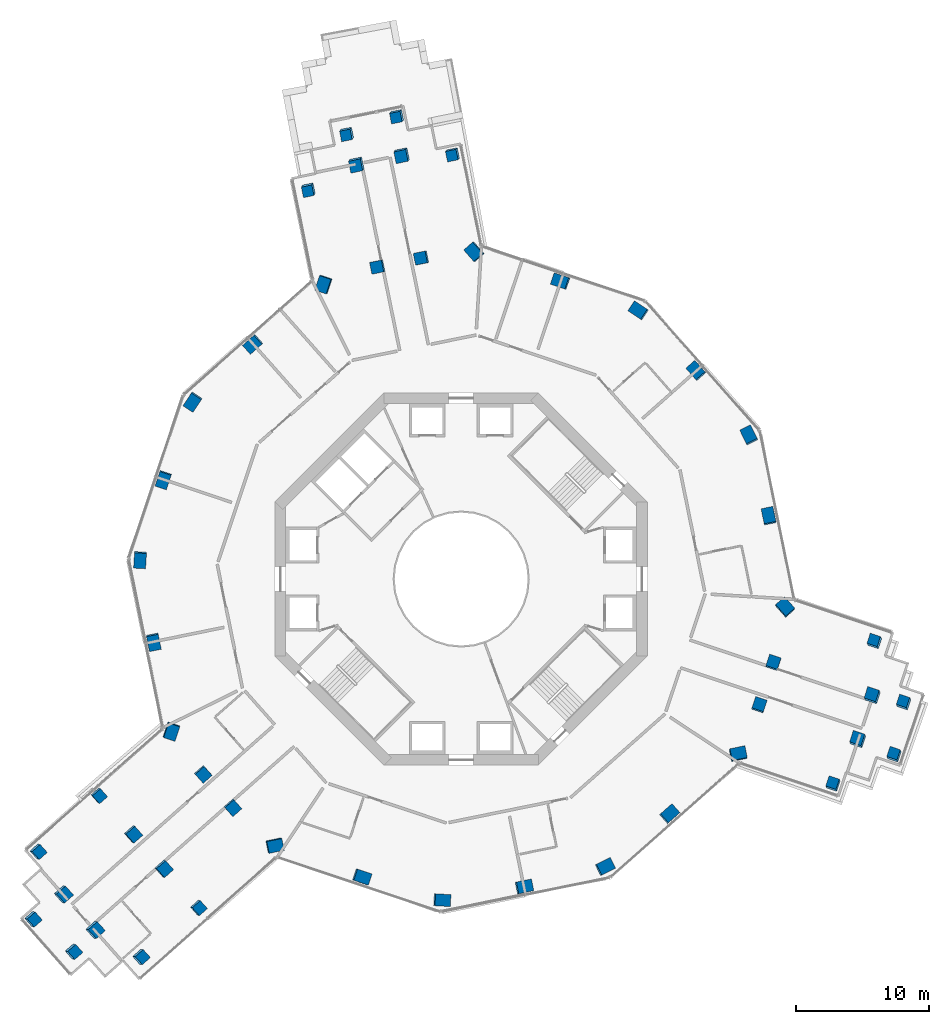
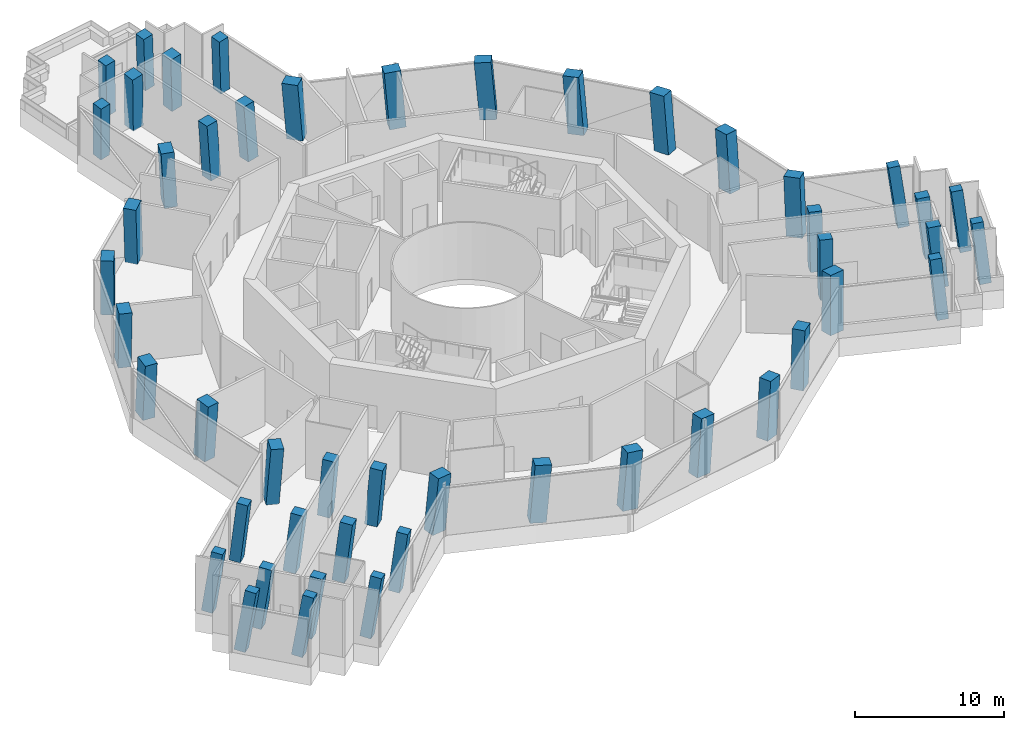
# One storey, part 1 of 20: 49 columns.
"""IFC4 building model written with IfcOpenShell, lengths in metres."""

from ifc_helpers import new_model, si_unit, direction, frame, origin, origin_2d, place, context, subcontext, project, spatial, rectangle, extrude, material, material_profile, profile_set, type_object, element, save


model = new_model("IFC4")

# Units and contexts
model_context = context("Model", 3, precision=1e-05, world=origin(), true_north=direction((0.0, 1.0)))
body_context = subcontext(model_context, "Body", "Model", "MODEL_VIEW")
ifc_project = project(units=[si_unit("LENGTHUNIT", "METRE"), si_unit("AREAUNIT", "SQUARE_METRE"), si_unit("VOLUMEUNIT", "CUBIC_METRE"), si_unit("PLANEANGLEUNIT", "RADIAN"), si_unit("MASSUNIT", "GRAM", prefix="KILO")], contexts=[model_context])

# Site, building, storey
site_placement = place(None, origin())
site = spatial("IfcSite", under=ifc_project, at=site_placement, CompositionType="ELEMENT")
building_placement = place(site_placement, origin())
building = spatial("IfcBuilding", under=site, at=building_placement, Name="Verdalira Terraces Hotel", CompositionType="ELEMENT")
storey_placement = place(building_placement, frame((0.0, 0.0, 81.0)))
storey = spatial("IfcBuildingStorey", under=building, at=storey_placement, Name="L18", CompositionType="ELEMENT", Elevation=81.0)

# Columns
ifc_material_1 = material(Name="Concrete C80", Category="concrete")
ifc_material_profile_1 = material_profile(ifc_material_1, rectangle(XDim=1.149902, YDim=0.899902, at=origin_2d()), Name="RC 1150X900")
ifc_profile_set_1 = profile_set([ifc_material_profile_1], Name="Concrete C80")
column_type_1 = type_object("IfcColumnType", Name="Column RC 1150X900 C80", PredefinedType="COLUMN", material=ifc_profile_set_1)
column_1_placement = place(storey_placement, frame((-10.315674, 22.171387, 0.0), z_axis=(-0.073724949, -0.035072531, 0.996661703), x_axis=(0.313129185, 0.948026988, 0.056523832)))
element("IfcColumn", 1, at=column_1_placement, inside=storey, type_object=column_type_1, Name="Column C03", PredefinedType="COLUMN", context=body_context, shape_type="SweptSolid", body=[
    extrude(rectangle(XDim=1.149902, YDim=0.899902, at=origin_2d()), origin(), (0.0, 0.0, 1.0), 4.705566),
])
column_2_placement = place(storey_placement, frame((-15.649414, 17.676025, 0.0), z_axis=(-0.058640346, -0.052724417, 0.996885874), x_axis=(-0.746898066, -0.660246291, -0.078855026)))
element("IfcColumn", 2, at=column_2_placement, inside=storey, type_object=column_type_1, Name="Column C04", PredefinedType="COLUMN", context=body_context, shape_type="SweptSolid", body=[
    extrude(rectangle(XDim=1.149902, YDim=0.899902, at=origin_2d()), origin(), (0.0, 0.0, 1.0), 4.70459),
])
column_3_placement = place(storey_placement, frame((-20.178711, 13.345703, 0.0), z_axis=(-0.043999359, -0.067763164, 0.996730761), x_axis=(0.549832111, 0.831358719, 0.080791885)))
element("IfcColumn", 3, at=column_3_placement, inside=storey, type_object=column_type_1, Name="Column C05", PredefinedType="COLUMN", context=body_context, shape_type="SweptSolid", body=[
    extrude(rectangle(XDim=1.149902, YDim=0.899902, at=origin_2d()), origin(), (0.0, 0.0, 1.0), 4.705322),
])
column_4_placement = place(storey_placement, frame((-22.391113, 7.483154, 0.0), z_axis=(-0.024338376, -0.074987109, 0.996887444), x_axis=(-0.31573538, -0.945566595, -0.07883517)))
element("IfcColumn", 4, at=column_4_placement, inside=storey, type_object=column_type_1, Name="Column C06", PredefinedType="COLUMN", context=body_context, shape_type="SweptSolid", body=[
    extrude(rectangle(XDim=1.149902, YDim=0.899902, at=origin_2d()), origin(), (0.0, 0.0, 1.0), 4.70459),
])
column_5_placement = place(storey_placement, frame((-24.148193, 1.468506, 0.0), z_axis=(-0.00420277, -0.080682803, 0.996730968), x_axis=(0.060241647, 0.994909055, 0.080789336)))
element("IfcColumn", 5, at=column_5_placement, inside=storey, type_object=column_type_1, Name="Column C07", PredefinedType="COLUMN", context=body_context, shape_type="SweptSolid", body=[
    extrude(rectangle(XDim=1.149902, YDim=0.899902, at=origin_2d()), origin(), (0.0, 0.0, 1.0), 4.705322),
])
column_6_placement = place(storey_placement, frame((-23.132812, -4.714844, 0.0), z_axis=(0.016398563, -0.077114764, 0.996887356), x_axis=(0.19912584, -0.976797696, -0.078836291)))
element("IfcColumn", 6, at=column_6_placement, inside=storey, type_object=column_type_1, Name="Column C08", PredefinedType="COLUMN", context=body_context, shape_type="SweptSolid", body=[
    extrude(rectangle(XDim=1.149902, YDim=0.899902, at=origin_2d()), origin(), (0.0, 0.0, 1.0), 4.70459),
])
column_7_placement = place(storey_placement, frame((-21.814453, -11.43335, 0.0), z_axis=(0.038806098, -0.072527974, 0.996611148), x_axis=(0.319522533, 0.94589897, 0.056395831)))
element("IfcColumn", 7, at=column_7_placement, inside=storey, type_object=column_type_1, Name="Column C09", PredefinedType="COLUMN", context=body_context, shape_type="SweptSolid", body=[
    extrude(rectangle(XDim=1.149902, YDim=0.899902, at=origin_2d()), origin(), (0.0, 0.0, 1.0), 4.705811),
])
column_8_placement = place(storey_placement, frame((-14.043213, -20.019287, 0.0), z_axis=(0.067239568, -0.046330967, 0.996660565), x_axis=(-0.977614608, -0.202666346, 0.056533445)))
element("IfcColumn", 8, at=column_8_placement, inside=storey, type_object=column_type_1, Name="Column C16", PredefinedType="COLUMN", context=body_context, shape_type="SweptSolid", body=[
    extrude(rectangle(XDim=1.149902, YDim=0.899902, at=origin_2d()), origin(), (0.0, 0.0, 1.0), 4.705566),
])
column_9_placement = place(storey_placement, frame((-7.483154, -22.391113, 0.0), z_axis=(0.074987109, -0.024338376, 0.996887444), x_axis=(0.945566595, -0.31573538, -0.07883517)))
element("IfcColumn", 9, at=column_9_placement, inside=storey, type_object=column_type_1, Name="Column C17", PredefinedType="COLUMN", context=body_context, shape_type="SweptSolid", body=[
    extrude(rectangle(XDim=1.149902, YDim=0.899902, at=origin_2d()), origin(), (0.0, 0.0, 1.0), 4.70459),
])
column_10_placement = place(storey_placement, frame((-1.468506, -24.148193, 0.0), z_axis=(0.080682803, -0.00420277, 0.996730968), x_axis=(-0.994909055, 0.060241647, 0.080789336)))
element("IfcColumn", 10, at=column_10_placement, inside=storey, type_object=column_type_1, Name="Column C18", PredefinedType="COLUMN", context=body_context, shape_type="SweptSolid", body=[
    extrude(rectangle(XDim=1.149902, YDim=0.899902, at=origin_2d()), origin(), (0.0, 0.0, 1.0), 4.705322),
])
column_11_placement = place(storey_placement, frame((4.714844, -23.132812, 0.0), z_axis=(0.077114764, 0.016398563, 0.996887356), x_axis=(0.976797696, 0.19912584, -0.078836291)))
element("IfcColumn", 11, at=column_11_placement, inside=storey, type_object=column_type_1, Name="Column C19", PredefinedType="COLUMN", context=body_context, shape_type="SweptSolid", body=[
    extrude(rectangle(XDim=1.149902, YDim=0.899902, at=origin_2d()), origin(), (0.0, 0.0, 1.0), 4.70459),
])
column_12_placement = place(storey_placement, frame((10.802246, -21.647217, 0.0), z_axis=(0.072017658, 0.036683346, 0.996728543), x_axis=(-0.891932566, -0.444887118, 0.08081924)))
element("IfcColumn", 12, at=column_12_placement, inside=storey, type_object=column_type_1, Name="Column C20", PredefinedType="COLUMN", context=body_context, shape_type="SweptSolid", body=[
    extrude(rectangle(XDim=1.149902, YDim=0.899902, at=origin_2d()), origin(), (0.0, 0.0, 1.0), 4.705322),
])
column_13_placement = place(storey_placement, frame((15.649414, -17.676025, 0.0), z_axis=(0.058640346, 0.052724417, 0.996885874), x_axis=(0.746898066, 0.660246291, -0.078855026)))
element("IfcColumn", 13, at=column_13_placement, inside=storey, type_object=column_type_1, Name="Column C21", PredefinedType="COLUMN", context=body_context, shape_type="SweptSolid", body=[
    extrude(rectangle(XDim=1.149902, YDim=0.899902, at=origin_2d()), origin(), (0.0, 0.0, 1.0), 4.70459),
])
column_14_placement = place(storey_placement, frame((20.808594, -13.175293, 0.0), z_axis=(0.04347512, 0.069881846, 0.996607466), x_axis=(-0.979054601, -0.195622465, 0.056426404)))
element("IfcColumn", 14, at=column_14_placement, inside=storey, type_object=column_type_1, Name="Column C22", PredefinedType="COLUMN", context=body_context, shape_type="SweptSolid", body=[
    extrude(rectangle(XDim=1.149902, YDim=0.899902, at=origin_2d()), origin(), (0.0, 0.0, 1.0), 4.705811),
])
column_15_placement = place(storey_placement, frame((24.358887, -2.1521, 0.0), z_axis=(0.006485295, 0.081403423, 0.996660135), x_axis=(0.664496706, -0.745149439, 0.056537084)))
element("IfcColumn", 15, at=column_15_placement, inside=storey, type_object=column_type_1, Name="Column C27", PredefinedType="COLUMN", context=body_context, shape_type="SweptSolid", body=[
    extrude(rectangle(XDim=1.149902, YDim=0.899902, at=origin_2d()), origin(), (0.0, 0.0, 1.0), 4.705566),
])
column_16_placement = place(storey_placement, frame((23.132812, 4.714844, 0.0), z_axis=(-0.016398563, 0.077114764, 0.996887356), x_axis=(-0.19912584, 0.976797696, -0.078836291)))
element("IfcColumn", 16, at=column_16_placement, inside=storey, type_object=column_type_1, Name="Column C28", PredefinedType="COLUMN", context=body_context, shape_type="SweptSolid", body=[
    extrude(rectangle(XDim=1.149902, YDim=0.899902, at=origin_2d()), origin(), (0.0, 0.0, 1.0), 4.70459),
])
column_17_placement = place(storey_placement, frame((21.647217, 10.802246, 0.0), z_axis=(-0.036683346, 0.072017658, 0.996728543), x_axis=(0.444887118, -0.891932566, 0.08081924)))
element("IfcColumn", 17, at=column_17_placement, inside=storey, type_object=column_type_1, Name="Column C29", PredefinedType="COLUMN", context=body_context, shape_type="SweptSolid", body=[
    extrude(rectangle(XDim=1.149902, YDim=0.899902, at=origin_2d()), origin(), (0.0, 0.0, 1.0), 4.705322),
])
column_18_placement = place(storey_placement, frame((17.676025, 15.649414, 0.0), z_axis=(-0.052724417, 0.058640346, 0.996885874), x_axis=(-0.660246291, 0.746898066, -0.078855026)))
element("IfcColumn", 18, at=column_18_placement, inside=storey, type_object=column_type_1, Name="Column C30", PredefinedType="COLUMN", context=body_context, shape_type="SweptSolid", body=[
    extrude(rectangle(XDim=1.149902, YDim=0.899902, at=origin_2d()), origin(), (0.0, 0.0, 1.0), 4.70459),
])
column_19_placement = place(storey_placement, frame((13.345703, 20.178711, 0.0), z_axis=(-0.067763164, 0.043999359, 0.996730761), x_axis=(0.831358719, -0.549832111, 0.080791885)))
element("IfcColumn", 19, at=column_19_placement, inside=storey, type_object=column_type_1, Name="Column C31", PredefinedType="COLUMN", context=body_context, shape_type="SweptSolid", body=[
    extrude(rectangle(XDim=1.149902, YDim=0.899902, at=origin_2d()), origin(), (0.0, 0.0, 1.0), 4.705322),
])
column_20_placement = place(storey_placement, frame((7.483154, 22.391113, 0.0), z_axis=(-0.074987109, 0.024338376, 0.996887444), x_axis=(-0.945566595, 0.31573538, -0.07883517)))
element("IfcColumn", 20, at=column_20_placement, inside=storey, type_object=column_type_1, Name="Column C32", PredefinedType="COLUMN", context=body_context, shape_type="SweptSolid", body=[
    extrude(rectangle(XDim=1.149902, YDim=0.899902, at=origin_2d()), origin(), (0.0, 0.0, 1.0), 4.70459),
])
column_21_placement = place(storey_placement, frame((1.005615, 24.608398, 0.0), z_axis=(-0.082177856, 0.002697758, 0.996614029), x_axis=(0.659030339, -0.750000815, 0.056371895)))
element("IfcColumn", 21, at=column_21_placement, inside=storey, type_object=column_type_1, Name="Column C33", PredefinedType="COLUMN", context=body_context, shape_type="SweptSolid", body=[
    extrude(rectangle(XDim=1.149902, YDim=0.899902, at=origin_2d()), origin(), (0.0, 0.0, 1.0), 4.705811),
])
ifc_material_2 = material(Name="Concrete C80", Category="concrete")
ifc_material_profile_2 = material_profile(ifc_material_2, rectangle(XDim=0.800049, YDim=0.800049, at=origin_2d()), Name="RC 800X800")
ifc_profile_set_2 = profile_set([ifc_material_profile_2], Name="Concrete C80")
column_type_2 = type_object("IfcColumnType", Name="Column RC 800X800 C80", PredefinedType="COLUMN", material=ifc_profile_set_2)
column_22_placement = place(storey_placement, frame((-0.605469, 31.962891, 0.0), z_axis=(-0.084634078, -0.10027074, 0.99135405), x_axis=(-0.207144037, 0.974957442, 0.080927959)))
element("IfcColumn", 22, at=column_22_placement, inside=storey, type_object=column_type_2, Name="Column C01", PredefinedType="COLUMN", context=body_context, shape_type="SweptSolid", body=[
    extrude(rectangle(XDim=0.800049, YDim=0.800049, at=origin_2d()), origin(), (0.0, 0.0, 1.0), 4.730957),
])
column_23_placement = place(storey_placement, frame((-11.456787, 29.322754, 0.0), z_axis=(-0.075285868, -0.135812825, 0.987869888), x_axis=(0.210129432, -0.970596323, -0.117424019)))
element("IfcColumn", 23, at=column_23_placement, inside=storey, type_object=column_type_2, Name="Column C02", PredefinedType="COLUMN", context=body_context, shape_type="SweptSolid", body=[
    extrude(rectangle(XDim=0.800049, YDim=0.800049, at=origin_2d()), origin(), (0.0, 0.0, 1.0), 4.747559),
])
column_24_placement = place(storey_placement, frame((-27.274414, -16.26709, 0.0), z_axis=(0.091860005, -0.056668567, 0.994158143), x_axis=(-0.746300115, -0.664884582, 0.031058516)))
element("IfcColumn", 24, at=column_24_placement, inside=storey, type_object=column_type_2, Name="Column C10", PredefinedType="COLUMN", context=body_context, shape_type="SweptSolid", body=[
    extrude(rectangle(XDim=0.800049, YDim=0.800049, at=origin_2d()), origin(), (0.0, 0.0, 1.0), 4.717529),
])
column_25_placement = place(storey_placement, frame((-31.870361, -20.483154, 0.0), z_axis=(0.142163397, -0.037845019, 0.989119469), x_axis=(-0.739514689, -0.668283225, 0.080718994)))
element("IfcColumn", 25, at=column_25_placement, inside=storey, type_object=column_type_2, Name="Column C11", PredefinedType="COLUMN", context=body_context, shape_type="SweptSolid", body=[
    extrude(rectangle(XDim=0.800049, YDim=0.800049, at=origin_2d()), origin(), (0.0, 0.0, 1.0), 4.741455),
])
column_26_placement = place(storey_placement, frame((-32.26416, -25.559814, 0.0), z_axis=(0.158591787, -0.038928942, 0.986576496), x_axis=(0.647458906, -0.750283663, -0.133683921)))
element("IfcColumn", 26, at=column_26_placement, inside=storey, type_object=column_type_2, Name="Column C12", PredefinedType="COLUMN", context=body_context, shape_type="SweptSolid", body=[
    extrude(rectangle(XDim=0.800049, YDim=0.800049, at=origin_2d()), origin(), (0.0, 0.0, 1.0), 4.753662),
])
column_27_placement = place(storey_placement, frame((-29.225342, -28.011475, 0.0), z_axis=(0.166443836, -0.028783906, 0.98563073), x_axis=(0.646593449, -0.751478661, -0.131136318)))
element("IfcColumn", 27, at=column_27_placement, inside=storey, type_object=column_type_2, Name="Column C13", PredefinedType="COLUMN", context=body_context, shape_type="SweptSolid", body=[
    extrude(rectangle(XDim=0.800049, YDim=0.800049, at=origin_2d()), origin(), (0.0, 0.0, 1.0), 4.758301),
])
column_28_placement = place(storey_placement, frame((-24.149414, -28.419434, 0.0), z_axis=(0.167648247, -0.012007863, 0.985773745), x_axis=(0.734085683, 0.668954667, -0.116695603)))
element("IfcColumn", 28, at=column_28_placement, inside=storey, type_object=column_type_2, Name="Column C14", PredefinedType="COLUMN", context=body_context, shape_type="SweptSolid", body=[
    extrude(rectangle(XDim=0.800049, YDim=0.800049, at=origin_2d()), origin(), (0.0, 0.0, 1.0), 4.757568),
])
column_29_placement = place(storey_placement, frame((-19.797119, -24.712891, 0.0), z_axis=(0.119534559, -0.031407525, 0.992333138), x_axis=(0.742141454, 0.666754818, -0.068294034)))
element("IfcColumn", 29, at=column_29_placement, inside=storey, type_object=column_type_2, Name="Column C15", PredefinedType="COLUMN", context=body_context, shape_type="SweptSolid", body=[
    extrude(rectangle(XDim=0.800049, YDim=0.800049, at=origin_2d()), origin(), (0.0, 0.0, 1.0), 4.726074),
])
column_30_placement = place(storey_placement, frame((27.983398, -15.457031, 0.0), z_axis=(-0.044536293, 0.123390819, 0.991358272), x_axis=(0.94797858, -0.307880598, 0.080908278)))
element("IfcColumn", 30, at=column_30_placement, inside=storey, type_object=column_type_2, Name="Column C23", PredefinedType="COLUMN", context=body_context, shape_type="SweptSolid", body=[
    extrude(rectangle(XDim=0.800049, YDim=0.800049, at=origin_2d()), origin(), (0.0, 0.0, 1.0), 4.730713),
])
column_31_placement = place(storey_placement, frame((32.576904, -13.259766, 0.0), z_axis=(-0.051845763, 0.13828969, 0.989033861), x_axis=(0.325033707, 0.938778925, -0.114224427)))
element("IfcColumn", 31, at=column_31_placement, inside=storey, type_object=column_type_2, Name="Column C24", PredefinedType="COLUMN", context=body_context, shape_type="SweptSolid", body=[
    extrude(rectangle(XDim=0.800049, YDim=0.800049, at=origin_2d()), origin(), (0.0, 0.0, 1.0), 4.741943),
])
column_32_placement = place(storey_placement, frame((33.307373, -9.339111, 0.0), z_axis=(-0.064801402, 0.140454467, 0.987964231), x_axis=(0.326270388, 0.938613387, -0.11203813)))
element("IfcColumn", 32, at=column_32_placement, inside=storey, type_object=column_type_2, Name="Column C25", PredefinedType="COLUMN", context=body_context, shape_type="SweptSolid", body=[
    extrude(rectangle(XDim=0.800049, YDim=0.800049, at=origin_2d()), origin(), (0.0, 0.0, 1.0), 4.74707),
])
column_33_placement = place(storey_placement, frame((31.122559, -4.739502, 0.0), z_axis=(-0.07991468, 0.133088283, 0.987877094), x_axis=(-0.945546213, 0.303582116, -0.117389346)))
element("IfcColumn", 33, at=column_33_placement, inside=storey, type_object=column_type_2, Name="Column C26", PredefinedType="COLUMN", context=body_context, shape_type="SweptSolid", body=[
    extrude(rectangle(XDim=0.800049, YDim=0.800049, at=origin_2d()), origin(), (0.0, 0.0, 1.0), 4.747559),
])
column_34_placement = place(storey_placement, frame((-4.805176, 34.842285, 0.0), z_axis=(-0.093806675, -0.114040497, 0.989037448), x_axis=(-0.975496055, -0.188054433, -0.11420585)))
element("IfcColumn", 34, at=column_34_placement, inside=storey, type_object=column_type_2, Name="Column C34", PredefinedType="COLUMN", context=body_context, shape_type="SweptSolid", body=[
    extrude(rectangle(XDim=0.800049, YDim=0.800049, at=origin_2d()), origin(), (0.0, 0.0, 1.0), 4.741943),
])
column_35_placement = place(storey_placement, frame((-8.565674, 33.514404, 0.0), z_axis=(-0.08928197, -0.126311359, 0.98796466), x_axis=(-0.976067998, -0.186384456, -0.112036141)))
element("IfcColumn", 35, at=column_35_placement, inside=storey, type_object=column_type_2, Name="Column C35", PredefinedType="COLUMN", context=body_context, shape_type="SweptSolid", body=[
    extrude(rectangle(XDim=0.800049, YDim=0.800049, at=origin_2d()), origin(), (0.0, 0.0, 1.0), 4.74707),
])
ifc_material_3 = material(Name="Concrete C80", Category="concrete")
ifc_material_profile_3 = material_profile(ifc_material_3, rectangle(XDim=0.899902, YDim=0.899902, at=origin_2d()), Name="RC 900X900")
ifc_profile_set_3 = profile_set([ifc_material_profile_3], Name="Concrete C80")
column_type_3 = type_object("IfcColumnType", Name="Column RC 900X900 C80", PredefinedType="COLUMN", material=ifc_profile_set_3)
for number, where, z_axis, x_axis, name in (
    (36, (-2.976562, 24.150391, 0.0), (-0.080575859, -0.010636221, 0.996691729), (-0.199481438, 0.979885202, -0.00566987), "Column C36"),
    (37, (-6.265381, 23.47998, 0.0), (-0.078241786, -0.021583941, 0.996700736), (-0.200169517, 0.979745823, 0.005503312), "Column C37"),
):
    element("IfcColumn", number, at=place(storey_placement, frame(where, z_axis=z_axis, x_axis=x_axis)), inside=storey, type_object=column_type_3, Name=name, PredefinedType="COLUMN", context=body_context, shape_type="SweptSolid", body=[
        extrude(rectangle(XDim=0.899902, YDim=0.899902, at=origin_2d()), origin(), (0.0, 0.0, 1.0), 4.705566),
    ])
column_36_placement = place(storey_placement, frame((-4.431396, 31.907715, 0.0), z_axis=(-0.084212734, -0.112816202, 0.990040767), x_axis=(-0.208446389, 0.973582018, 0.093210288)))
element("IfcColumn", 38, at=column_36_placement, inside=storey, type_object=column_type_3, Name="Column C38", PredefinedType="COLUMN", context=body_context, shape_type="SweptSolid", body=[
    extrude(rectangle(XDim=0.899902, YDim=0.899902, at=origin_2d()), origin(), (0.0, 0.0, 1.0), 4.737061),
])
column_37_placement = place(storey_placement, frame((-7.841553, 31.212891, 0.0), z_axis=(-0.081697183, -0.124012926, 0.988911707), x_axis=(-0.209677533, 0.972160601, 0.104590143)))
element("IfcColumn", 39, at=column_37_placement, inside=storey, type_object=column_type_3, Name="Column C39", PredefinedType="COLUMN", context=body_context, shape_type="SweptSolid", body=[
    extrude(rectangle(XDim=0.899902, YDim=0.899902, at=origin_2d()), origin(), (0.0, 0.0, 1.0), 4.742432),
])
for number, where, z_axis, x_axis, name in (
    (40, (-19.426514, -14.653076, 0.0), (0.049497417, -0.064440034, 0.996693277), (-0.748763763, -0.662812714, -0.005668546), "Column C40"),
    (41, (-17.20166, -17.166016, 0.0), (0.057799344, -0.056969192, 0.996701433), (-0.748489548, -0.663123757, 0.005502731), "Column C41"),
):
    element("IfcColumn", number, at=place(storey_placement, frame(where, z_axis=z_axis, x_axis=x_axis)), inside=storey, type_object=column_type_3, Name=name, PredefinedType="COLUMN", context=body_context, shape_type="SweptSolid", body=[
        extrude(rectangle(XDim=0.899902, YDim=0.899902, at=origin_2d()), origin(), (0.0, 0.0, 1.0), 4.705566),
    ])
column_38_placement = place(storey_placement, frame((-24.701416, -19.17334, 0.0), z_axis=(0.101386465, -0.04795166, 0.993690809), x_axis=(-0.744944304, -0.665681766, 0.043883594)))
element("IfcColumn", 42, at=column_38_placement, inside=storey, type_object=column_type_3, Name="Column C42", PredefinedType="COLUMN", context=body_context, shape_type="SweptSolid", body=[
    extrude(rectangle(XDim=0.899902, YDim=0.899902, at=origin_2d()), origin(), (0.0, 0.0, 1.0), 4.719727),
])
column_39_placement = place(storey_placement, frame((-22.4021, -21.770264, 0.0), z_axis=(0.109910913, -0.040221397, 0.993127298), x_axis=(-0.743829596, -0.666073922, 0.055344935)))
element("IfcColumn", 43, at=column_39_placement, inside=storey, type_object=column_type_3, Name="Column C43", PredefinedType="COLUMN", context=body_context, shape_type="SweptSolid", body=[
    extrude(rectangle(XDim=0.899902, YDim=0.899902, at=origin_2d()), origin(), (0.0, 0.0, 1.0), 4.722412),
])
column_40_placement = place(storey_placement, frame((-29.976318, -23.693604, 0.0), z_axis=(0.152565308, -0.031469487, 0.987792234), x_axis=(-0.737734729, -0.668704213, 0.092639873)))
element("IfcColumn", 44, at=column_40_placement, inside=storey, type_object=column_type_3, Name="Column C44", PredefinedType="COLUMN", context=body_context, shape_type="SweptSolid", body=[
    extrude(rectangle(XDim=0.899902, YDim=0.899902, at=origin_2d()), origin(), (0.0, 0.0, 1.0), 4.747803),
])
column_41_placement = place(storey_placement, frame((-27.602783, -26.374512, 0.0), z_axis=(0.161171031, -0.023523369, 0.986646112), x_axis=(-0.735956608, -0.66895094, 0.104271333)))
element("IfcColumn", 45, at=column_41_placement, inside=storey, type_object=column_type_3, Name="Column C45", PredefinedType="COLUMN", context=body_context, shape_type="SweptSolid", body=[
    extrude(rectangle(XDim=0.899902, YDim=0.899902, at=origin_2d()), origin(), (0.0, 0.0, 1.0), 4.753418),
])
for number, where, z_axis, x_axis, name in (
    (46, (22.403076, -9.497314, 0.0), (0.031130404, 0.075076157, 0.996691762), (0.948118398, -0.317866886, -0.005669841), "Column C46"),
    (47, (23.467041, -6.313965, 0.0), (0.020442474, 0.07855306, 0.996700317), (0.948519045, -0.316672278, 0.005503661), "Column C47"),
):
    element("IfcColumn", number, at=place(storey_placement, frame(where, z_axis=z_axis, x_axis=x_axis)), inside=storey, type_object=column_type_3, Name=name, PredefinedType="COLUMN", context=body_context, shape_type="SweptSolid", body=[
        extrude(rectangle(XDim=0.899902, YDim=0.899902, at=origin_2d()), origin(), (0.0, 0.0, 1.0), 4.705566),
    ])
column_42_placement = place(storey_placement, frame((29.848633, -12.116211, 0.0), z_axis=(-0.055609069, 0.129359372, 0.990037264), x_axis=(0.947378536, -0.30623963, 0.093226596)))
element("IfcColumn", 48, at=column_42_placement, inside=storey, type_object=column_type_3, Name="Column C48", PredefinedType="COLUMN", context=body_context, shape_type="SweptSolid", body=[
    extrude(rectangle(XDim=0.899902, YDim=0.899902, at=origin_2d()), origin(), (0.0, 0.0, 1.0), 4.737061),
])
column_43_placement = place(storey_placement, frame((30.951904, -8.81543, 0.0), z_axis=(-0.066562246, 0.132764139, 0.988910082), x_axis=(0.946771561, -0.304438696, 0.104597763)))
element("IfcColumn", 49, at=column_43_placement, inside=storey, type_object=column_type_3, Name="Column C49", PredefinedType="COLUMN", context=body_context, shape_type="SweptSolid", body=[
    extrude(rectangle(XDim=0.899902, YDim=0.899902, at=origin_2d()), origin(), (0.0, 0.0, 1.0), 4.742432),
])

save(model, "model.ifc")
